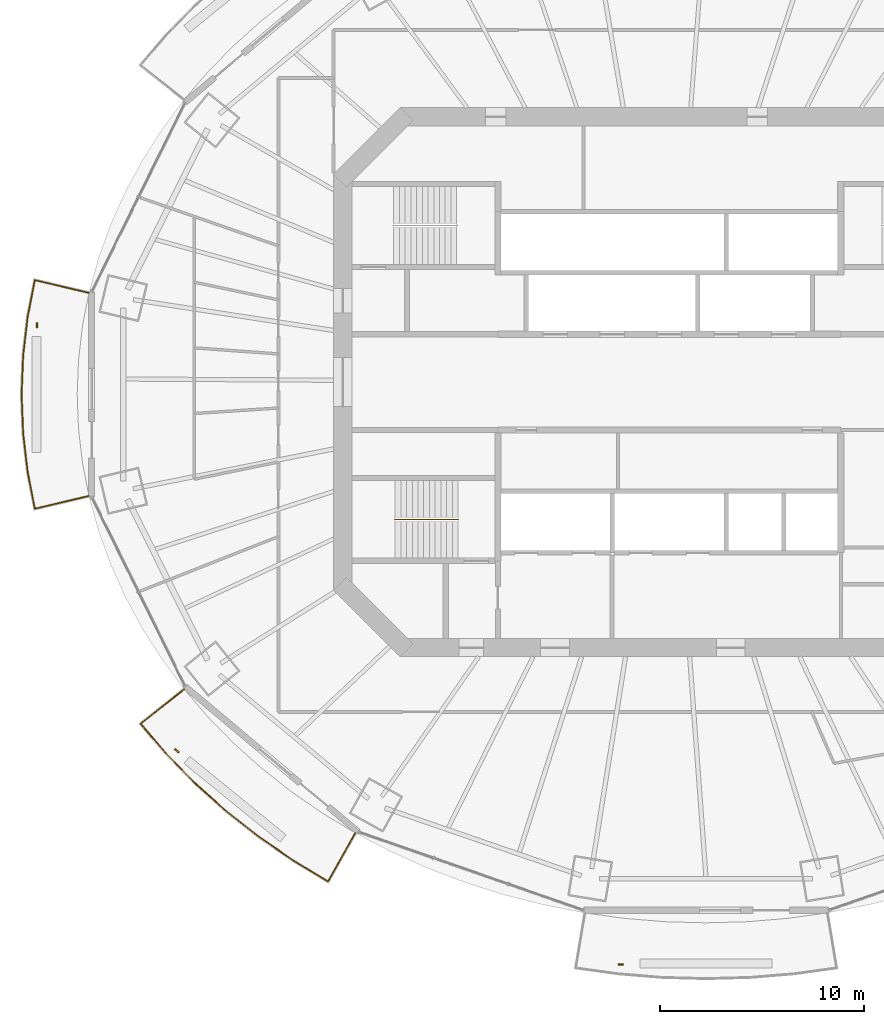
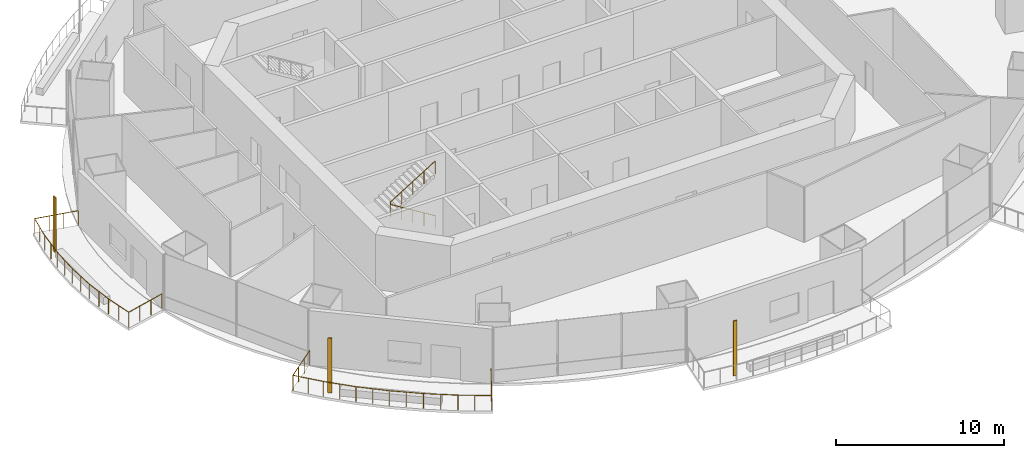
# One storey, part 14 of 19: 3 railings, 3 shading devices.
"""IFC4 building model written with IfcOpenShell, lengths in metres."""

from ifc_helpers import new_model, si_unit, direction, frame, origin, origin_2d, place, context, subcontext, project, spatial, rectangle, circle, extrude, material, material_profile, profile_set, type_object, element, save


model = new_model("IFC4")

# Units and contexts
model_context = context("Model", 3, precision=1e-05, world=origin(), true_north=direction((0.0, 1.0)))
body_context = subcontext(model_context, "Body", "Model", "MODEL_VIEW")
ifc_project = project(units=[si_unit("LENGTHUNIT", "METRE"), si_unit("AREAUNIT", "SQUARE_METRE"), si_unit("VOLUMEUNIT", "CUBIC_METRE"), si_unit("PLANEANGLEUNIT", "RADIAN"), si_unit("MASSUNIT", "GRAM", prefix="KILO")], contexts=[model_context])

# Site, building, storey
site_placement = place(None, origin())
site = spatial("IfcSite", under=ifc_project, at=site_placement, CompositionType="ELEMENT")
building_placement = place(site_placement, origin())
building = spatial("IfcBuilding", under=site, at=building_placement, Name="Marenthal Gate Tower", CompositionType="ELEMENT")
storey_placement = place(building_placement, frame((0.0, 0.0, 227.449951171875)))
storey = spatial("IfcBuildingStorey", under=building, at=storey_placement, Name="L50", CompositionType="ELEMENT", Elevation=227.449951171875)

# Railings
ifc_material_1 = material(Name="Stainless steel", Category="steel")
railing_type_1 = type_object("IfcRailingType", Name="Balcony guard 1100", PredefinedType="GUARDRAIL", material=ifc_material_1)
railing_1_placement = place(storey_placement, frame((-28.434326171875, -5.572021484375, 0.0)))
element("IfcRailing", 1, at=railing_1_placement, inside=storey, type_object=railing_type_1, Name="Balcony guard L50 bay 8", PredefinedType="GUARDRAIL", context=body_context, shape_type="SweptSolid", body=[
    extrude(circle(Radius=0.02392578125, at=origin_2d()), frame((0.0, 0.0, 1.076171875), z_axis=(-0.973052153091, -0.230114897669, -0.014718737604), x_axis=(0.230139827907, -0.97315757183, 0.0)), (0.0, 0.0, 1.0), 2.72021484375),
    extrude(circle(Radius=0.02392578125, at=origin_2d()), frame((-2.64697265625, -0.6259765625, 1.0361328125), z_axis=(-0.191194170829, 0.981552234494, 0.0), x_axis=(-0.981552234494, -0.191194170829, 0.0)), (0.0, 0.0, 1.0), 1.832275390625),
    extrude(circle(Radius=0.02392578125, at=origin_2d()), frame((-2.997314453125, 1.172607421875, 1.0361328125), z_axis=(-0.116440337064, 0.99319768823, 0.0), x_axis=(-0.99319768823, -0.116440337064, 0.0)), (0.0, 0.0, 1.0), 1.907958984375),
    extrude(circle(Radius=0.02392578125, at=origin_2d()), frame((-3.219482421875, 3.067626953125, 1.0361328125), z_axis=(-0.038944791616, 0.999241363839, 0.0), x_axis=(-0.999241363839, -0.038944791616, 0.0)), (0.0, 0.0, 1.0), 1.90576171875),
    extrude(circle(Radius=0.02392578125, at=origin_2d()), frame((-3.293701171875, 4.971923828125, 1.0361328125), z_axis=(0.038939806905, 0.999241558102, 0.0), x_axis=(-0.999241558102, 0.038939806905, 0.0)), (0.0, 0.0, 1.0), 1.906005859375),
    extrude(circle(Radius=0.02392578125, at=origin_2d()), frame((-3.219482421875, 6.87646484375, 1.0361328125), z_axis=(0.116440337064, 0.99319768823, 0.0), x_axis=(-0.99319768823, 0.116440337064, 0.0)), (0.0, 0.0, 1.0), 1.907958984375),
    extrude(circle(Radius=0.02392578125, at=origin_2d()), frame((-2.997314453125, 8.771484375, 1.0361328125), z_axis=(0.191194170829, 0.981552234494, 0.0), x_axis=(-0.981552234494, 0.191194170829, 0.0)), (0.0, 0.0, 1.0), 1.832275390625),
    extrude(circle(Radius=0.02392578125, at=origin_2d()), frame((-2.64697265625, 10.570068359375, 1.0361328125), z_axis=(0.973052153091, -0.230114897669, 0.014718737604), x_axis=(0.230139827907, 0.97315757183, 0.0)), (0.0, 0.0, 1.0), 2.72021484375),
    extrude(circle(Radius=0.02099609375, at=origin_2d()), origin(), (0.0, 0.0, 1.0), 1.052001953125),
    extrude(circle(Radius=0.02099609375, at=origin_2d()), frame((-0.88232421875, -0.208740234375, -0.013427734375)), (0.0, 0.0, 1.0), 1.052001953125),
    extrude(circle(Radius=0.02099609375, at=origin_2d()), frame((-1.7646484375, -0.417236328125, -0.026611328125)), (0.0, 0.0, 1.0), 1.052001953125),
    extrude(circle(Radius=0.02099609375, at=origin_2d()), frame((-2.64697265625, -0.6259765625, -0.0400390625)), (0.0, 0.0, 1.0), 1.052001953125),
    extrude(circle(Radius=0.02099609375, at=origin_2d()), frame((-2.822265625, 0.2734375, -0.0400390625)), (0.0, 0.0, 1.0), 1.052001953125),
    extrude(circle(Radius=0.02099609375, at=origin_2d()), frame((-2.997314453125, 1.172607421875, -0.0400390625)), (0.0, 0.0, 1.0), 1.052001953125),
    extrude(circle(Radius=0.02099609375, at=origin_2d()), frame((-3.1083984375, 2.1201171875, -0.0400390625)), (0.0, 0.0, 1.0), 1.052001953125),
    extrude(circle(Radius=0.02099609375, at=origin_2d()), frame((-3.219482421875, 3.067626953125, -0.0400390625)), (0.0, 0.0, 1.0), 1.052001953125),
    extrude(circle(Radius=0.02099609375, at=origin_2d()), frame((-3.256591796875, 4.019775390625, -0.0400390625)), (0.0, 0.0, 1.0), 1.052001953125),
    extrude(circle(Radius=0.02099609375, at=origin_2d()), frame((-3.293701171875, 4.971923828125, -0.0400390625)), (0.0, 0.0, 1.0), 1.052001953125),
    extrude(circle(Radius=0.02099609375, at=origin_2d()), frame((-3.256591796875, 5.92431640625, -0.0400390625)), (0.0, 0.0, 1.0), 1.052001953125),
    extrude(circle(Radius=0.02099609375, at=origin_2d()), frame((-3.219482421875, 6.87646484375, -0.0400390625)), (0.0, 0.0, 1.0), 1.052001953125),
    extrude(circle(Radius=0.02099609375, at=origin_2d()), frame((-3.1083984375, 7.823974609375, -0.0400390625)), (0.0, 0.0, 1.0), 1.052001953125),
    extrude(circle(Radius=0.02099609375, at=origin_2d()), frame((-2.997314453125, 8.771484375, -0.0400390625)), (0.0, 0.0, 1.0), 1.052001953125),
    extrude(circle(Radius=0.02099609375, at=origin_2d()), frame((-2.822265625, 9.6708984375, -0.0400390625)), (0.0, 0.0, 1.0), 1.052001953125),
    extrude(circle(Radius=0.02099609375, at=origin_2d()), frame((-2.64697265625, 10.570068359375, -0.0400390625)), (0.0, 0.0, 1.0), 1.052001953125),
    extrude(circle(Radius=0.02099609375, at=origin_2d()), frame((-1.7646484375, 10.361328125, -0.026611328125)), (0.0, 0.0, 1.0), 1.052001953125),
    extrude(circle(Radius=0.02099609375, at=origin_2d()), frame((-0.88232421875, 10.15283203125, -0.013427734375)), (0.0, 0.0, 1.0), 1.052001953125),
    extrude(circle(Radius=0.02099609375, at=origin_2d()), frame((0.0, 9.944091796875, 0.0)), (0.0, 0.0, 1.0), 1.052001953125),
])
railing_2_placement = place(storey_placement, frame((-15.3857421875, -22.08349609375, 0.0)))
element("IfcRailing", 2, at=railing_2_placement, inside=storey, type_object=railing_type_1, Name="Balcony guard L50 bay 10", PredefinedType="GUARDRAIL", context=body_context, shape_type="SweptSolid", body=[
    extrude(circle(Radius=0.02392578125, at=origin_2d()), frame((0.0, 0.0, 1.076171875), z_axis=(-0.489828869087, -0.871694357905, -0.014718199804), x_axis=(0.871788788819, -0.489881932397, 0.0)), (0.0, 0.0, 1.0), 2.720458984375),
    extrude(circle(Radius=0.02392578125, at=origin_2d()), frame((-1.33251953125, -2.371337890625, 1.0361328125), z_axis=(-0.856002243452, 0.516972106796, 0.0), x_axis=(-0.516972106796, -0.856002243452, 0.0)), (0.0, 0.0, 1.0), 1.9990234375),
    extrude(circle(Radius=0.02392578125, at=origin_2d()), frame((-3.043701171875, -1.337890625, 1.0361328125), z_axis=(-0.823243306464, 0.567688698462, 0.0), x_axis=(-0.567688698462, -0.823243306464, 0.0)), (0.0, 0.0, 1.0), 2.0625),
    extrude(circle(Radius=0.02392578125, at=origin_2d()), frame((-4.74169921875, -0.1669921875, 1.0361328125), z_axis=(-0.785792171054, 0.618490633648, 0.0), x_axis=(-0.618490633648, -0.785792171054, 0.0)), (0.0, 0.0, 1.0), 2.0458984375),
    extrude(circle(Radius=0.02392578125, at=origin_2d()), frame((-6.349365234375, 1.098388671875, 1.0361328125), z_axis=(-0.744394107791, 0.667740527665, 0.0), x_axis=(-0.667740527665, -0.744394107791, 0.0)), (0.0, 0.0, 1.0), 2.02880859375),
    extrude(circle(Radius=0.02392578125, at=origin_2d()), frame((-7.859619140625, 2.453125, 1.0361328125), z_axis=(-0.698683190488, 0.71543119818, 0.0), x_axis=(-0.71543119818, -0.698683190488, 0.0)), (0.0, 0.0, 1.0), 2.01171875),
    extrude(circle(Radius=0.02392578125, at=origin_2d()), frame((-9.26513671875, 3.892333984375, 1.0361328125), z_axis=(-0.649961690438, 0.7599669736, 0.0), x_axis=(-0.7599669736, -0.649961690438, 0.0)), (0.0, 0.0, 1.0), 1.915283203125),
    extrude(circle(Radius=0.02392578125, at=origin_2d()), frame((-10.510009765625, 5.347900390625, 1.0361328125), z_axis=(0.782855020802, 0.62203005264, 0.014718356461), x_axis=(-0.622097438779, 0.78293982953, 0.0)), (0.0, 0.0, 1.0), 2.720458984375),
    extrude(circle(Radius=0.02099609375, at=origin_2d()), origin(), (0.0, 0.0, 1.0), 1.052001953125),
    extrude(circle(Radius=0.02099609375, at=origin_2d()), frame((-0.444091796875, -0.79052734375, -0.013427734375)), (0.0, 0.0, 1.0), 1.052001953125),
    extrude(circle(Radius=0.02099609375, at=origin_2d()), frame((-0.888427734375, -1.580810546875, -0.026611328125)), (0.0, 0.0, 1.0), 1.052001953125),
    extrude(circle(Radius=0.02099609375, at=origin_2d()), frame((-1.33251953125, -2.371337890625, -0.0400390625)), (0.0, 0.0, 1.0), 1.052001953125),
    extrude(circle(Radius=0.02099609375, at=origin_2d()), frame((-2.18798828125, -1.8544921875, -0.0400390625)), (0.0, 0.0, 1.0), 1.052001953125),
    extrude(circle(Radius=0.02099609375, at=origin_2d()), frame((-3.043701171875, -1.337890625, -0.0400390625)), (0.0, 0.0, 1.0), 1.052001953125),
    extrude(circle(Radius=0.02099609375, at=origin_2d()), frame((-3.892578125, -0.75244140625, -0.0400390625)), (0.0, 0.0, 1.0), 1.052001953125),
    extrude(circle(Radius=0.02099609375, at=origin_2d()), frame((-4.74169921875, -0.1669921875, -0.0400390625)), (0.0, 0.0, 1.0), 1.052001953125),
    extrude(circle(Radius=0.02099609375, at=origin_2d()), frame((-5.54541015625, 0.4658203125, -0.0400390625)), (0.0, 0.0, 1.0), 1.052001953125),
    extrude(circle(Radius=0.02099609375, at=origin_2d()), frame((-6.349365234375, 1.098388671875, -0.0400390625)), (0.0, 0.0, 1.0), 1.052001953125),
    extrude(circle(Radius=0.02099609375, at=origin_2d()), frame((-7.1044921875, 1.77587890625, -0.0400390625)), (0.0, 0.0, 1.0), 1.052001953125),
    extrude(circle(Radius=0.02099609375, at=origin_2d()), frame((-7.859619140625, 2.453125, -0.0400390625)), (0.0, 0.0, 1.0), 1.052001953125),
    extrude(circle(Radius=0.02099609375, at=origin_2d()), frame((-8.5625, 3.1728515625, -0.0400390625)), (0.0, 0.0, 1.0), 1.052001953125),
    extrude(circle(Radius=0.02099609375, at=origin_2d()), frame((-9.26513671875, 3.892333984375, -0.0400390625)), (0.0, 0.0, 1.0), 1.052001953125),
    extrude(circle(Radius=0.02099609375, at=origin_2d()), frame((-9.8876953125, 4.6201171875, -0.0400390625)), (0.0, 0.0, 1.0), 1.052001953125),
    extrude(circle(Radius=0.02099609375, at=origin_2d()), frame((-10.510009765625, 5.347900390625, -0.0400390625)), (0.0, 0.0, 1.0), 1.052001953125),
    extrude(circle(Radius=0.02099609375, at=origin_2d()), frame((-9.800048828125, 5.911865234375, -0.026611328125)), (0.0, 0.0, 1.0), 1.052001953125),
    extrude(circle(Radius=0.02099609375, at=origin_2d()), frame((-9.09033203125, 6.47607421875, -0.013427734375)), (0.0, 0.0, 1.0), 1.052001953125),
    extrude(circle(Radius=0.02099609375, at=origin_2d()), frame((-8.38037109375, 7.0400390625, 0.0)), (0.0, 0.0, 1.0), 1.052001953125),
])
ifc_material_2 = material(Name="Stainless steel", Category="steel")
railing_type_2 = type_object("IfcRailingType", Name="Stair handrail", PredefinedType="HANDRAIL", material=ifc_material_2)
railing_3_placement = place(storey_placement, frame((-10.35009765625, -6.72509765625, 0.1728515625)))
element("IfcRailing", 3, at=railing_3_placement, inside=storey, type_object=railing_type_2, Name="Handrail ST2", PredefinedType="HANDRAIL", context=body_context, shape_type="SweptSolid", body=[
    extrude(circle(Radius=0.0224609375, at=origin_2d()), frame((0.0, 0.0, 0.927490234375), z_axis=(-0.850816621229, 0.0, 0.525462726595), x_axis=(0.0, -1.0, 0.0)), (0.0, 0.0, 1.0), 3.619873046875),
    extrude(circle(Radius=0.0224609375, at=origin_2d()), frame((-3.079833984375, 0.0, 2.82958984375), z_axis=(0.0, 0.0, 1.0), x_axis=(1.0, 0.0, 0.0)), (0.0, 0.0, 1.0), 0.173095703125),
    extrude(circle(Radius=0.0224609375, at=origin_2d()), frame((-3.079833984375, 0.0, 3.002685546875), z_axis=(0.850816621229, 0.0, 0.525462726595), x_axis=(0.0, 1.0, 0.0)), (0.0, 0.0, 1.0), 3.619873046875),
    extrude(circle(Radius=0.02001953125, at=origin_2d()), origin(), (0.0, 0.0, 1.0), 0.905029296875),
    extrude(circle(Radius=0.02001953125, at=origin_2d()), frame((-0.77001953125, 0.0, 0.4755859375)), (0.0, 0.0, 1.0), 0.905029296875),
    extrude(circle(Radius=0.02001953125, at=origin_2d()), frame((-1.5400390625, 0.0, 0.951171875)), (0.0, 0.0, 1.0), 0.905029296875),
    extrude(circle(Radius=0.02001953125, at=origin_2d()), frame((-2.309814453125, 0.0, 1.426513671875)), (0.0, 0.0, 1.0), 0.905029296875),
    extrude(circle(Radius=0.02001953125, at=origin_2d()), frame((-3.079833984375, 0.0, 1.902099609375)), (0.0, 0.0, 1.0), 0.905029296875),
    extrude(circle(Radius=0.02001953125, at=origin_2d()), frame((-3.079833984375, 0.0, 2.0751953125)), (0.0, 0.0, 1.0), 0.905029296875),
    extrude(circle(Radius=0.02001953125, at=origin_2d()), frame((-2.309814453125, 0.0, 2.55078125)), (0.0, 0.0, 1.0), 0.905029296875),
    extrude(circle(Radius=0.02001953125, at=origin_2d()), frame((-1.5400390625, 0.0, 3.0263671875)), (0.0, 0.0, 1.0), 0.905029296875),
    extrude(circle(Radius=0.02001953125, at=origin_2d()), frame((-0.77001953125, 0.0, 3.501708984375)), (0.0, 0.0, 1.0), 0.905029296875),
    extrude(circle(Radius=0.02001953125, at=origin_2d()), frame((0.0, 0.0, 3.977294921875)), (0.0, 0.0, 1.0), 0.905029296875),
])

# Shading devices
ifc_material_3 = material(Name="Terracotta", Category="masonry")
ifc_material_profile = material_profile(ifc_material_3, rectangle(XDim=0.25, YDim=0.080078125, at=origin_2d()), Name="Terracotta baguette 250x80")
ifc_profile_set = profile_set([ifc_material_profile], Name="Terracotta")
shading_device_type = type_object("IfcShadingDeviceType", Name="Terracotta BAGUETTE SCREEN 250x80", PredefinedType="USERDEFINED", material=ifc_profile_set)
for number, where, z_axis, x_axis, name in (
    (4, (-30.97509765625, 2.794921875, -0.0400390625), (0.0, 0.0, 1.0), (0.0, -1.0, 0.0), "Terracotta BAGUETTE L50 bay 8L"),
    (5, (-24.123291015625, -18.05126953125, -0.0400390625), (0.0, 0.0, 1.0), (0.765550876952, -0.643375360732, 0.0), "Terracotta BAGUETTE L50 bay 10L"),
    (6, (-2.371826171875, -28.529052734375, -0.0400390625), (0.0, 0.0, 1.0), (1.0, 0.0, 0.0), "Terracotta BAGUETTE L50 bay 12L"),
):
    element("IfcShadingDevice", number, at=place(storey_placement, frame(where, z_axis=z_axis, x_axis=x_axis)), inside=storey, type_object=shading_device_type, Name=name, ObjectType="BAGUETTE SCREEN", PredefinedType="USERDEFINED", context=body_context, shape_type="SweptSolid", body=[
        extrude(rectangle(XDim=0.25, YDim=0.080078125, at=origin_2d()), origin(), (0.0, 0.0, 1.0), 3.969970703125),
    ])

save(model, "model.ifc")
